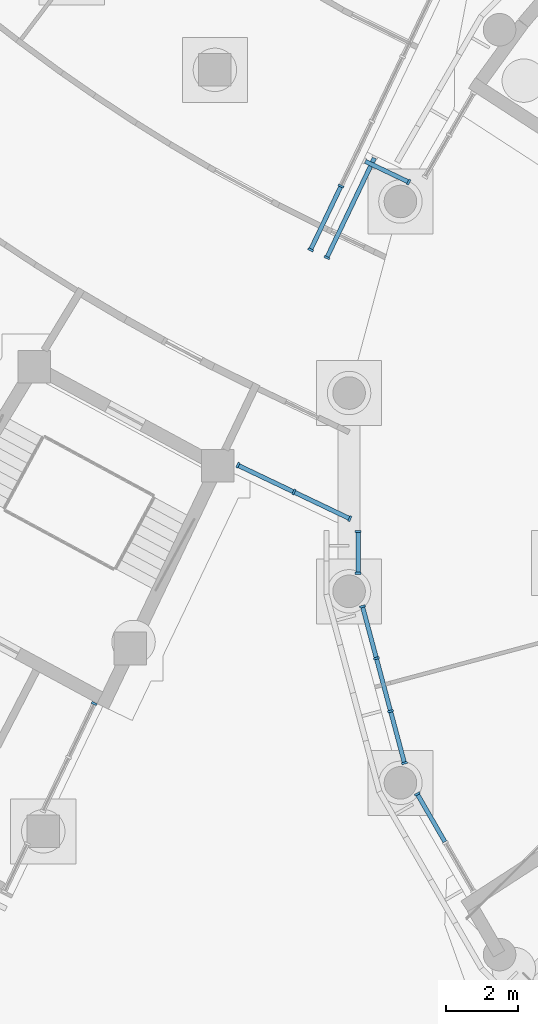
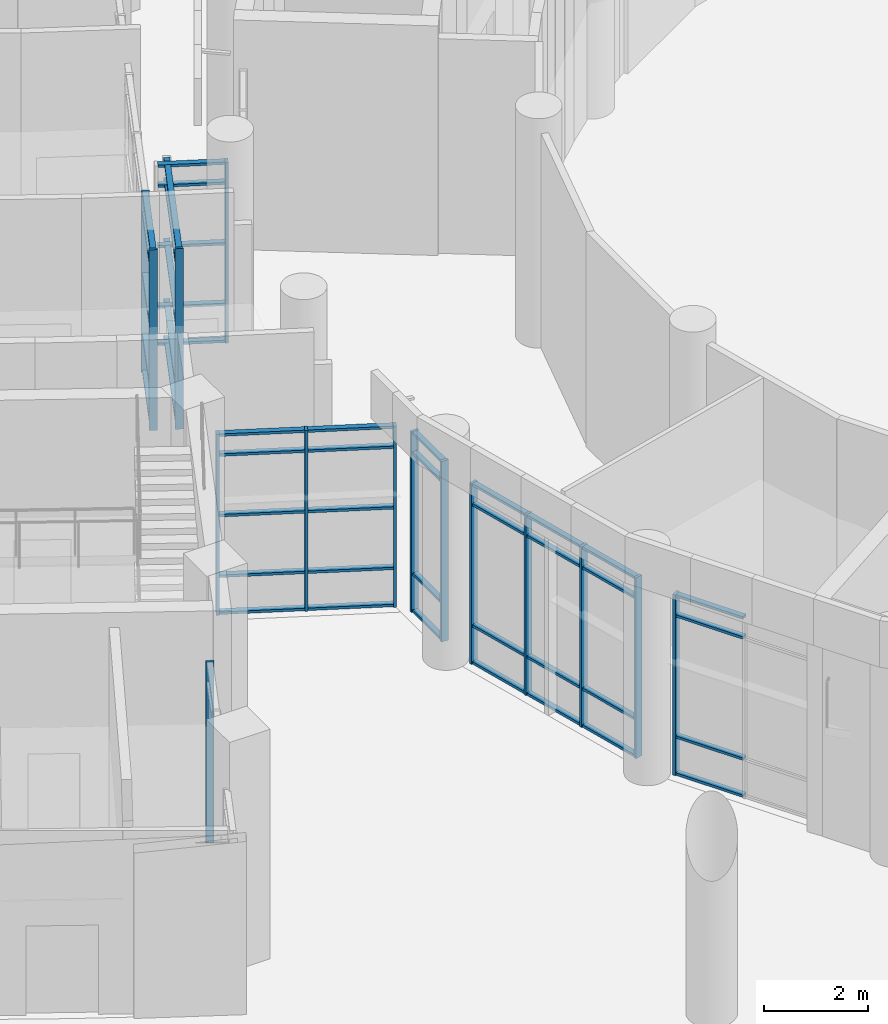
# One storey, part 20 of 146: 60 members, 8 elements without a shape of their own.
"""IFC4 building model written with IfcOpenShell, lengths in metres."""

from ifc_helpers import new_model, si_unit, direction, frame, origin, origin_2d, place, context, subcontext, project, spatial, rectangle, extrude, material, material_profile, profile_set, type_object, element, aggregate, save


model = new_model("IFC4")

# Units and contexts
model_context = context("Model", 3, precision=1e-05, world=origin(), true_north=direction((0.0, 1.0)))
body_context = subcontext(model_context, "Body", "Model", "MODEL_VIEW")
ifc_project = project(units=[si_unit("LENGTHUNIT", "METRE"), si_unit("AREAUNIT", "SQUARE_METRE"), si_unit("VOLUMEUNIT", "CUBIC_METRE"), si_unit("PLANEANGLEUNIT", "RADIAN"), si_unit("MASSUNIT", "GRAM", prefix="KILO")], contexts=[model_context])

# Site, building, storey
site_placement = place(None, origin())
site = spatial("IfcSite", under=ifc_project, at=site_placement, CompositionType="ELEMENT")
building_placement = place(site_placement, origin())
building = spatial("IfcBuilding", under=site, at=building_placement, Name="Bougainvillea Quay General Hospital", CompositionType="ELEMENT")
storey_placement = place(building_placement, origin())
storey = spatial("IfcBuildingStorey", under=building, at=storey_placement, Name="L00", CompositionType="ELEMENT", Elevation=0.0)

# Curtain wall, member
ifc_material_1 = material(Name="Aluminium curtain wall system, powder-coated glazed", Category="aluminium")
curtain_wall_type_1 = type_object("IfcCurtainWallType", Name="Unitised curtain wall CW-1678", PredefinedType="NOTDEFINED", material=ifc_material_1)
curtain_wall_1_placement = place(storey_placement, origin())
curtain_wall_1 = element("IfcCurtainWall", 1, at=curtain_wall_1_placement, inside=storey, type_object=curtain_wall_type_1, Name="CW-AE 01", PredefinedType="NOTDEFINED")
ifc_material_2 = material(Name="Aluminium mullion, powder-coated charcoal", Category="aluminium")
ifc_material_profile_1 = material_profile(ifc_material_2, rectangle(XDim=0.159912109375, YDim=0.06005859375, at=origin_2d()))
ifc_profile_set_1 = profile_set([ifc_material_profile_1], Name="Aluminium mullion, powder-coated charcoal")
member_type_1 = type_object("IfcMemberType", Name="Curtain wall mullion 160x60", PredefinedType="MULLION", material=ifc_profile_set_1)
member_1_placement = place(storey_placement, frame((81.33349609375, 68.157470703125, 0.0), z_axis=(0.0, 0.0, 1.0), x_axis=(-0.902576055431, 0.430530445105, 0.0)))
member_1 = element("IfcMember", 2, at=member_1_placement, type_object=member_type_1, Name="CW-AE mullion 3", PredefinedType="MULLION", context=body_context, shape_type="SweptSolid", body=[
    extrude(rectangle(XDim=0.159912109375, YDim=0.06005859375, at=origin_2d()), origin(), (0.0, 0.0, 1.0), 4.25),
])
aggregate(curtain_wall_1, [member_1])

# Curtain wall, members
curtain_wall_type_2 = type_object("IfcCurtainWallType", Name="Unitised curtain wall CW-1745", PredefinedType="NOTDEFINED", material=ifc_material_1)
curtain_wall_2_placement = place(storey_placement, origin())
curtain_wall_2 = element("IfcCurtainWall", 3, at=curtain_wall_2_placement, inside=storey, type_object=curtain_wall_type_2, Name="CW-AE 00", PredefinedType="NOTDEFINED")
member_2_placement = place(storey_placement, frame((85.305908203125, 74.743408203125, 0.0), z_axis=(0.0, 0.0, 1.0), x_axis=(0.430463026068, 0.902608211345, 0.0)))
member_2 = element("IfcMember", 4, at=member_2_placement, type_object=member_type_1, Name="CW-AE mullion 1", PredefinedType="MULLION", context=body_context, shape_type="SweptSolid", body=[
    extrude(rectangle(XDim=0.159912109375, YDim=0.06005859375, at=origin_2d()), origin(), (0.0, 0.0, 1.0), 4.25),
])
member_3_placement = place(storey_placement, frame((86.853271484375, 74.005615234375, 0.0), z_axis=(0.0, 0.0, 1.0), x_axis=(0.430463026068, 0.902608211345, 0.0)))
member_3 = element("IfcMember", 5, at=member_3_placement, type_object=member_type_1, Name="CW-AE mullion 2", PredefinedType="MULLION", context=body_context, shape_type="SweptSolid", body=[
    extrude(rectangle(XDim=0.159912109375, YDim=0.06005859375, at=origin_2d()), origin(), (0.0, 0.0, 1.0), 4.25),
])
member_4_placement = place(storey_placement, frame((88.400634765625, 73.267578125, 0.0), z_axis=(0.0, 0.0, 1.0), x_axis=(0.430463026068, 0.902608211345, 0.0)))
member_4 = element("IfcMember", 6, at=member_4_placement, type_object=member_type_1, Name="CW-AE mullion 3", PredefinedType="MULLION", context=body_context, shape_type="SweptSolid", body=[
    extrude(rectangle(XDim=0.159912109375, YDim=0.06005859375, at=origin_2d()), origin(), (0.0, 0.0, 1.0), 4.25),
])

# Curtain wall, member
curtain_wall_type_3 = type_object("IfcCurtainWallType", Name="Unitised curtain wall CW-1422", PredefinedType="NOTDEFINED", material=ifc_material_1)
curtain_wall_3_placement = place(storey_placement, origin())
curtain_wall_3 = element("IfcCurtainWall", 7, at=curtain_wall_3_placement, inside=storey, type_object=curtain_wall_type_3, Name="CW-AE 00", PredefinedType="NOTDEFINED")
member_5_placement = place(storey_placement, frame((90.0283203125, 82.5732421875, 0.0), z_axis=(0.0, 0.0, 1.0), x_axis=(-0.430534245195, -0.902574242771, 0.0)))
member_5 = element("IfcMember", 8, at=member_5_placement, type_object=member_type_1, Name="CW-AE mullion 1", PredefinedType="MULLION", context=body_context, shape_type="SweptSolid", body=[
    extrude(rectangle(XDim=0.159912109375, YDim=0.06005859375, at=origin_2d()), origin(), (0.0, 0.0, 1.0), 4.25),
])

curtain_wall_type_4 = type_object("IfcCurtainWallType", Name="Unitised curtain wall CW-3140", PredefinedType="NOTDEFINED", material=ifc_material_1)
curtain_wall_4_placement = place(storey_placement, origin())
curtain_wall_4 = element("IfcCurtainWall", 9, at=curtain_wall_4_placement, inside=storey, type_object=curtain_wall_type_4, Name="CW-AE 00", PredefinedType="NOTDEFINED")
member_6_placement = place(storey_placement, frame((87.7666015625, 80.484375, 0.0), z_axis=(0.0, 0.0, 1.0), x_axis=(0.902495109384, -0.430700101624, 0.0)))
member_6 = element("IfcMember", 10, at=member_6_placement, type_object=member_type_1, Name="CW-AE mullion 2", PredefinedType="MULLION", context=body_context, shape_type="SweptSolid", body=[
    extrude(rectangle(XDim=0.159912109375, YDim=0.06005859375, at=origin_2d()), origin(), (0.0, 0.0, 1.0), 4.25),
])

# Curtain wall, members
curtain_wall_type_5 = type_object("IfcCurtainWallType", Name="Unitised curtain wall CW-1982", PredefinedType="NOTDEFINED", material=ifc_material_1)
curtain_wall_5_placement = place(storey_placement, origin())
curtain_wall_5 = element("IfcCurtainWall", 11, at=curtain_wall_5_placement, inside=storey, type_object=curtain_wall_type_5, Name="CW-AE 00", PredefinedType="NOTDEFINED")
member_7_placement = place(storey_placement, frame((87.315185546875, 80.69970703125, 0.0), z_axis=(0.0, 0.0, 1.0), x_axis=(-0.902560506484, 0.430563040838, 0.0)))
member_7 = element("IfcMember", 12, at=member_7_placement, type_object=member_type_1, Name="CW-AE mullion 1", PredefinedType="MULLION", context=body_context, shape_type="SweptSolid", body=[
    extrude(rectangle(XDim=0.159912109375, YDim=0.06005859375, at=origin_2d()), origin(), (0.0, 0.0, 1.0), 4.25),
])
member_8_placement = place(storey_placement, frame((88.155517578125, 82.4609375, 0.0), z_axis=(0.0, 0.0, 1.0), x_axis=(-0.902560506484, 0.430563040838, 0.0)))
member_8 = element("IfcMember", 13, at=member_8_placement, type_object=member_type_1, Name="CW-AE mullion 2", PredefinedType="MULLION", context=body_context, shape_type="SweptSolid", body=[
    extrude(rectangle(XDim=0.159912109375, YDim=0.06005859375, at=origin_2d()), origin(), (0.0, 0.0, 1.0), 4.25),
])

curtain_wall_type_6 = type_object("IfcCurtainWallType", Name="Unitised curtain wall CW-1211", PredefinedType="NOTDEFINED", material=ifc_material_1)
curtain_wall_6_placement = place(storey_placement, origin())
curtain_wall_6 = element("IfcCurtainWall", 14, at=curtain_wall_6_placement, inside=storey, type_object=curtain_wall_type_6, Name="CW-D 00", PredefinedType="NOTDEFINED")
member_9_placement = place(storey_placement, frame((88.6298828125, 72.909912109375, 0.0), z_axis=(0.0, 0.0, 1.0), x_axis=(1.0, 0.0, 0.0)))
member_9 = element("IfcMember", 15, at=member_9_placement, type_object=member_type_1, Name="CW-D mullion 1", PredefinedType="MULLION", context=body_context, shape_type="SweptSolid", body=[
    extrude(rectangle(XDim=0.159912109375, YDim=0.06005859375, at=origin_2d()), origin(), (0.0, 0.0, 1.0), 4.25),
])
member_10_placement = place(storey_placement, frame((88.6298828125, 71.759033203125, 0.0), z_axis=(0.0, 0.0, 1.0), x_axis=(1.0, 0.0, 0.0)))
member_10 = element("IfcMember", 16, at=member_10_placement, type_object=member_type_1, Name="CW-D mullion 2", PredefinedType="MULLION", context=body_context, shape_type="SweptSolid", body=[
    extrude(rectangle(XDim=0.159912109375, YDim=0.06005859375, at=origin_2d()), origin(), (0.0, 0.0, 1.0), 4.25),
])

curtain_wall_type_7 = type_object("IfcCurtainWallType", Name="Unitised curtain wall CW-1514", PredefinedType="NOTDEFINED", material=ifc_material_1)
curtain_wall_7_placement = place(storey_placement, origin())
curtain_wall_7 = element("IfcCurtainWall", 17, at=curtain_wall_7_placement, inside=storey, type_object=curtain_wall_type_7, Name="CW-D 00", PredefinedType="NOTDEFINED")
member_11_placement = place(storey_placement, frame((88.7509765625, 70.8408203125, 0.0), z_axis=(0.0, 0.0, 1.0), x_axis=(0.965916292974, 0.258854621298, 0.0)))
member_11 = element("IfcMember", 18, at=member_11_placement, type_object=member_type_1, Name="CW-D mullion 1", PredefinedType="MULLION", context=body_context, shape_type="SweptSolid", body=[
    extrude(rectangle(XDim=0.159912109375, YDim=0.06005859375, at=origin_2d()), origin(), (0.0, 0.0, 1.0), 4.25),
])
member_12_placement = place(storey_placement, frame((89.135009765625, 69.407470703125, 0.0), z_axis=(0.0, 0.0, 1.0), x_axis=(0.965916292974, 0.258854621298, 0.0)))
member_12 = element("IfcMember", 19, at=member_12_placement, type_object=member_type_1, Name="CW-D mullion 2", PredefinedType="MULLION", context=body_context, shape_type="SweptSolid", body=[
    extrude(rectangle(XDim=0.159912109375, YDim=0.06005859375, at=origin_2d()), origin(), (0.0, 0.0, 1.0), 4.25),
])
member_13_placement = place(storey_placement, frame((89.52685546875, 67.945068359375, 0.0), z_axis=(0.0, 0.0, 1.0), x_axis=(0.965916292974, 0.258854621298, 0.0)))
member_13 = element("IfcMember", 20, at=member_13_placement, type_object=member_type_1, Name="CW-D mullion 3", PredefinedType="MULLION", context=body_context, shape_type="SweptSolid", body=[
    extrude(rectangle(XDim=0.159912109375, YDim=0.06005859375, at=origin_2d()), origin(), (0.0, 0.0, 1.0), 4.25),
])
member_14_placement = place(storey_placement, frame((89.9111328125, 66.51171875, 0.0), z_axis=(0.0, 0.0, 1.0), x_axis=(0.965916292974, 0.258854621298, 0.0)))
member_14 = element("IfcMember", 21, at=member_14_placement, type_object=member_type_1, Name="CW-D mullion 4", PredefinedType="MULLION", context=body_context, shape_type="SweptSolid", body=[
    extrude(rectangle(XDim=0.159912109375, YDim=0.06005859375, at=origin_2d()), origin(), (0.0, 0.0, 1.0), 4.25),
])

# Curtain wall, member
curtain_wall_type_8 = type_object("IfcCurtainWallType", Name="Unitised curtain wall CW-1585", PredefinedType="NOTDEFINED", material=ifc_material_1)
curtain_wall_8_placement = place(storey_placement, origin())
curtain_wall_8 = element("IfcCurtainWall", 22, at=curtain_wall_8_placement, inside=storey, type_object=curtain_wall_type_8, Name="CW-D 00", PredefinedType="NOTDEFINED")
member_15_placement = place(storey_placement, frame((90.265380859375, 65.656005859375, 0.0), z_axis=(0.0, 0.0, 1.0), x_axis=(0.866045865692, 0.499964557262, 0.0)))
member_15 = element("IfcMember", 23, at=member_15_placement, type_object=member_type_1, Name="CW-D mullion 1", PredefinedType="MULLION", context=body_context, shape_type="SweptSolid", body=[
    extrude(rectangle(XDim=0.159912109375, YDim=0.06005859375, at=origin_2d()), origin(), (0.0, 0.0, 1.0), 4.25),
])

# Member
ifc_material_3 = material(Name="Aluminium transom, powder-coated charcoal", Category="aluminium")
ifc_material_profile_2 = material_profile(ifc_material_3, rectangle(XDim=0.1201171875, YDim=0.06005859375, at=origin_2d()))
ifc_profile_set_2 = profile_set([ifc_material_profile_2], Name="Aluminium transom, powder-coated charcoal")
member_type_2 = type_object("IfcMemberType", Name="Curtain wall transom 120x60", PredefinedType="USERDEFINED", material=ifc_profile_set_2)
member_16_placement = place(storey_placement, frame((85.3330078125, 74.73046875, 0.030029296875), z_axis=(0.902595741471, -0.430489172314, 0.0), x_axis=(0.430489172314, 0.902595741471, 0.0)))
member_16 = element("IfcMember", 24, at=member_16_placement, type_object=member_type_2, Name="CW-AE transom 1.1", ObjectType="TRANSOM", PredefinedType="USERDEFINED", context=body_context, shape_type="SweptSolid", body=[
    extrude(rectangle(XDim=0.1201171875, YDim=0.06005859375, at=origin_2d()), origin(), (0.0, 0.0, 1.0), 1.654296875),
])

member_17_placement = place(storey_placement, frame((85.3330078125, 74.73046875, 0.89990234375), z_axis=(0.902595741471, -0.430489172314, 0.0), x_axis=(0.430489172314, 0.902595741471, 0.0)))
member_17 = element("IfcMember", 25, at=member_17_placement, type_object=member_type_2, Name="CW-AE transom 1.2", ObjectType="TRANSOM", PredefinedType="USERDEFINED", context=body_context, shape_type="SweptSolid", body=[
    extrude(rectangle(XDim=0.1201171875, YDim=0.06005859375, at=origin_2d()), origin(), (0.0, 0.0, 1.0), 1.654296875),
])

member_18_placement = place(storey_placement, frame((85.3330078125, 74.73046875, 2.324951171875), z_axis=(0.902595741471, -0.430489172314, 0.0), x_axis=(0.430489172314, 0.902595741471, 0.0)))
member_18 = element("IfcMember", 26, at=member_18_placement, type_object=member_type_2, Name="CW-AE transom 1.3", ObjectType="TRANSOM", PredefinedType="USERDEFINED", context=body_context, shape_type="SweptSolid", body=[
    extrude(rectangle(XDim=0.1201171875, YDim=0.06005859375, at=origin_2d()), origin(), (0.0, 0.0, 1.0), 1.654296875),
])

member_19_placement = place(storey_placement, frame((85.3330078125, 74.73046875, 3.75), z_axis=(0.902595741471, -0.430489172314, 0.0), x_axis=(0.430489172314, 0.902595741471, 0.0)))
member_19 = element("IfcMember", 27, at=member_19_placement, type_object=member_type_2, Name="CW-AE transom 1.4", ObjectType="TRANSOM", PredefinedType="USERDEFINED", context=body_context, shape_type="SweptSolid", body=[
    extrude(rectangle(XDim=0.1201171875, YDim=0.06005859375, at=origin_2d()), origin(), (0.0, 0.0, 1.0), 1.654296875),
])

member_20_placement = place(storey_placement, frame((85.3330078125, 74.73046875, 4.219970703125), z_axis=(0.902595741471, -0.430489172314, 0.0), x_axis=(0.430489172314, 0.902595741471, 0.0)))
member_20 = element("IfcMember", 28, at=member_20_placement, type_object=member_type_2, Name="CW-AE transom 1.5", ObjectType="TRANSOM", PredefinedType="USERDEFINED", context=body_context, shape_type="SweptSolid", body=[
    extrude(rectangle(XDim=0.1201171875, YDim=0.06005859375, at=origin_2d()), origin(), (0.0, 0.0, 1.0), 1.654296875),
])

member_21_placement = place(storey_placement, frame((86.88037109375, 73.99267578125, 0.030029296875), z_axis=(0.902595741471, -0.430489172314, 0.0), x_axis=(0.430489172314, 0.902595741471, 0.0)))
member_21 = element("IfcMember", 29, at=member_21_placement, type_object=member_type_2, Name="CW-AE transom 2.1", ObjectType="TRANSOM", PredefinedType="USERDEFINED", context=body_context, shape_type="SweptSolid", body=[
    extrude(rectangle(XDim=0.1201171875, YDim=0.06005859375, at=origin_2d()), origin(), (0.0, 0.0, 1.0), 1.654296875),
])

member_22_placement = place(storey_placement, frame((86.88037109375, 73.99267578125, 0.89990234375), z_axis=(0.902595741471, -0.430489172314, 0.0), x_axis=(0.430489172314, 0.902595741471, 0.0)))
member_22 = element("IfcMember", 30, at=member_22_placement, type_object=member_type_2, Name="CW-AE transom 2.2", ObjectType="TRANSOM", PredefinedType="USERDEFINED", context=body_context, shape_type="SweptSolid", body=[
    extrude(rectangle(XDim=0.1201171875, YDim=0.06005859375, at=origin_2d()), origin(), (0.0, 0.0, 1.0), 1.654296875),
])

member_23_placement = place(storey_placement, frame((86.88037109375, 73.99267578125, 2.324951171875), z_axis=(0.902595741471, -0.430489172314, 0.0), x_axis=(0.430489172314, 0.902595741471, 0.0)))
member_23 = element("IfcMember", 31, at=member_23_placement, type_object=member_type_2, Name="CW-AE transom 2.3", ObjectType="TRANSOM", PredefinedType="USERDEFINED", context=body_context, shape_type="SweptSolid", body=[
    extrude(rectangle(XDim=0.1201171875, YDim=0.06005859375, at=origin_2d()), origin(), (0.0, 0.0, 1.0), 1.654296875),
])

member_24_placement = place(storey_placement, frame((86.88037109375, 73.99267578125, 3.75), z_axis=(0.902595741471, -0.430489172314, 0.0), x_axis=(0.430489172314, 0.902595741471, 0.0)))
member_24 = element("IfcMember", 32, at=member_24_placement, type_object=member_type_2, Name="CW-AE transom 2.4", ObjectType="TRANSOM", PredefinedType="USERDEFINED", context=body_context, shape_type="SweptSolid", body=[
    extrude(rectangle(XDim=0.1201171875, YDim=0.06005859375, at=origin_2d()), origin(), (0.0, 0.0, 1.0), 1.654296875),
])

member_25_placement = place(storey_placement, frame((86.88037109375, 73.99267578125, 4.219970703125), z_axis=(0.902595741471, -0.430489172314, 0.0), x_axis=(0.430489172314, 0.902595741471, 0.0)))
member_25 = element("IfcMember", 33, at=member_25_placement, type_object=member_type_2, Name="CW-AE transom 2.5", ObjectType="TRANSOM", PredefinedType="USERDEFINED", context=body_context, shape_type="SweptSolid", body=[
    extrude(rectangle(XDim=0.1201171875, YDim=0.06005859375, at=origin_2d()), origin(), (0.0, 0.0, 1.0), 1.654296875),
])

aggregate(curtain_wall_2, [member_2, member_3, member_4, member_16, member_17, member_18, member_19, member_20, member_21, member_22, member_23, member_24, member_25])

member_26_placement = place(storey_placement, frame((90.001220703125, 82.586181640625, 0.030029296875), z_axis=(-0.902600317452, 0.430479577837, 0.0), x_axis=(-0.430479577837, -0.902600317452, 0.0)))
member_26 = element("IfcMember", 34, at=member_26_placement, type_object=member_type_2, Name="CW-AE transom 1.1", ObjectType="TRANSOM", PredefinedType="USERDEFINED", context=body_context, shape_type="SweptSolid", body=[
    extrude(rectangle(XDim=0.1201171875, YDim=0.06005859375, at=origin_2d()), origin(), (0.0, 0.0, 1.0), 1.301513671875),
])

member_27_placement = place(storey_placement, frame((90.001220703125, 82.586181640625, 0.89990234375), z_axis=(-0.902600317452, 0.430479577837, 0.0), x_axis=(-0.430479577837, -0.902600317452, 0.0)))
member_27 = element("IfcMember", 35, at=member_27_placement, type_object=member_type_2, Name="CW-AE transom 1.2", ObjectType="TRANSOM", PredefinedType="USERDEFINED", context=body_context, shape_type="SweptSolid", body=[
    extrude(rectangle(XDim=0.1201171875, YDim=0.06005859375, at=origin_2d()), origin(), (0.0, 0.0, 1.0), 1.301513671875),
])

member_28_placement = place(storey_placement, frame((90.001220703125, 82.586181640625, 2.324951171875), z_axis=(-0.902600317452, 0.430479577837, 0.0), x_axis=(-0.430479577837, -0.902600317452, 0.0)))
member_28 = element("IfcMember", 36, at=member_28_placement, type_object=member_type_2, Name="CW-AE transom 1.3", ObjectType="TRANSOM", PredefinedType="USERDEFINED", context=body_context, shape_type="SweptSolid", body=[
    extrude(rectangle(XDim=0.1201171875, YDim=0.06005859375, at=origin_2d()), origin(), (0.0, 0.0, 1.0), 1.301513671875),
])

member_29_placement = place(storey_placement, frame((90.001220703125, 82.586181640625, 3.75), z_axis=(-0.902600317452, 0.430479577837, 0.0), x_axis=(-0.430479577837, -0.902600317452, 0.0)))
member_29 = element("IfcMember", 37, at=member_29_placement, type_object=member_type_2, Name="CW-AE transom 1.4", ObjectType="TRANSOM", PredefinedType="USERDEFINED", context=body_context, shape_type="SweptSolid", body=[
    extrude(rectangle(XDim=0.1201171875, YDim=0.06005859375, at=origin_2d()), origin(), (0.0, 0.0, 1.0), 1.301513671875),
])

member_30_placement = place(storey_placement, frame((90.001220703125, 82.586181640625, 4.219970703125), z_axis=(-0.902600317452, 0.430479577837, 0.0), x_axis=(-0.430479577837, -0.902600317452, 0.0)))
member_30 = element("IfcMember", 38, at=member_30_placement, type_object=member_type_2, Name="CW-AE transom 1.5", ObjectType="TRANSOM", PredefinedType="USERDEFINED", context=body_context, shape_type="SweptSolid", body=[
    extrude(rectangle(XDim=0.1201171875, YDim=0.06005859375, at=origin_2d()), origin(), (0.0, 0.0, 1.0), 1.301513671875),
])

aggregate(curtain_wall_3, [member_5, member_26, member_27, member_28, member_29, member_30])

member_31_placement = place(storey_placement, frame((89.079833984375, 83.236083984375, 0.030029296875), z_axis=(-0.430705635106, -0.902492468604, 0.0), x_axis=(0.902492468604, -0.430705635106, 0.0)))
member_31 = element("IfcMember", 39, at=member_31_placement, type_object=member_type_2, Name="CW-AE transom 1.1", ObjectType="TRANSOM", PredefinedType="USERDEFINED", context=body_context, shape_type="SweptSolid", body=[
    extrude(rectangle(XDim=0.1201171875, YDim=0.06005859375, at=origin_2d()), origin(), (0.0, 0.0, 1.0), 3.01904296875),
])

member_32_placement = place(storey_placement, frame((89.079833984375, 83.236083984375, 0.89990234375), z_axis=(-0.430705635106, -0.902492468604, 0.0), x_axis=(0.902492468604, -0.430705635106, 0.0)))
member_32 = element("IfcMember", 40, at=member_32_placement, type_object=member_type_2, Name="CW-AE transom 1.2", ObjectType="TRANSOM", PredefinedType="USERDEFINED", context=body_context, shape_type="SweptSolid", body=[
    extrude(rectangle(XDim=0.1201171875, YDim=0.06005859375, at=origin_2d()), origin(), (0.0, 0.0, 1.0), 3.01904296875),
])

member_33_placement = place(storey_placement, frame((89.079833984375, 83.236083984375, 2.324951171875), z_axis=(-0.430705635106, -0.902492468604, 0.0), x_axis=(0.902492468604, -0.430705635106, 0.0)))
member_33 = element("IfcMember", 41, at=member_33_placement, type_object=member_type_2, Name="CW-AE transom 1.3", ObjectType="TRANSOM", PredefinedType="USERDEFINED", context=body_context, shape_type="SweptSolid", body=[
    extrude(rectangle(XDim=0.1201171875, YDim=0.06005859375, at=origin_2d()), origin(), (0.0, 0.0, 1.0), 3.01904296875),
])

member_34_placement = place(storey_placement, frame((89.079833984375, 83.236083984375, 3.75), z_axis=(-0.430705635106, -0.902492468604, 0.0), x_axis=(0.902492468604, -0.430705635106, 0.0)))
member_34 = element("IfcMember", 42, at=member_34_placement, type_object=member_type_2, Name="CW-AE transom 1.4", ObjectType="TRANSOM", PredefinedType="USERDEFINED", context=body_context, shape_type="SweptSolid", body=[
    extrude(rectangle(XDim=0.1201171875, YDim=0.06005859375, at=origin_2d()), origin(), (0.0, 0.0, 1.0), 3.01904296875),
])

member_35_placement = place(storey_placement, frame((89.079833984375, 83.236083984375, 4.219970703125), z_axis=(-0.430705635106, -0.902492468604, 0.0), x_axis=(0.902492468604, -0.430705635106, 0.0)))
member_35 = element("IfcMember", 43, at=member_35_placement, type_object=member_type_2, Name="CW-AE transom 1.5", ObjectType="TRANSOM", PredefinedType="USERDEFINED", context=body_context, shape_type="SweptSolid", body=[
    extrude(rectangle(XDim=0.1201171875, YDim=0.06005859375, at=origin_2d()), origin(), (0.0, 0.0, 1.0), 3.01904296875),
])

aggregate(curtain_wall_4, [member_6, member_31, member_32, member_33, member_34, member_35])

member_36_placement = place(storey_placement, frame((87.328125, 80.726806640625, 0.030029296875), z_axis=(0.43061489216, 0.90253576918, 0.0), x_axis=(-0.90253576918, 0.43061489216, 0.0)))
member_36 = element("IfcMember", 44, at=member_36_placement, type_object=member_type_2, Name="CW-AE transom 1.1", ObjectType="TRANSOM", PredefinedType="USERDEFINED", context=body_context, shape_type="SweptSolid", body=[
    extrude(rectangle(XDim=0.1201171875, YDim=0.06005859375, at=origin_2d()), origin(), (0.0, 0.0, 1.0), 1.891357421875),
])

member_37_placement = place(storey_placement, frame((87.328125, 80.726806640625, 0.89990234375), z_axis=(0.43061489216, 0.90253576918, 0.0), x_axis=(-0.90253576918, 0.43061489216, 0.0)))
member_37 = element("IfcMember", 45, at=member_37_placement, type_object=member_type_2, Name="CW-AE transom 1.2", ObjectType="TRANSOM", PredefinedType="USERDEFINED", context=body_context, shape_type="SweptSolid", body=[
    extrude(rectangle(XDim=0.1201171875, YDim=0.06005859375, at=origin_2d()), origin(), (0.0, 0.0, 1.0), 1.891357421875),
])

member_38_placement = place(storey_placement, frame((87.328125, 80.726806640625, 2.324951171875), z_axis=(0.43061489216, 0.90253576918, 0.0), x_axis=(-0.90253576918, 0.43061489216, 0.0)))
member_38 = element("IfcMember", 46, at=member_38_placement, type_object=member_type_2, Name="CW-AE transom 1.3", ObjectType="TRANSOM", PredefinedType="USERDEFINED", context=body_context, shape_type="SweptSolid", body=[
    extrude(rectangle(XDim=0.1201171875, YDim=0.06005859375, at=origin_2d()), origin(), (0.0, 0.0, 1.0), 1.891357421875),
])

member_39_placement = place(storey_placement, frame((87.328125, 80.726806640625, 3.75), z_axis=(0.43061489216, 0.90253576918, 0.0), x_axis=(-0.90253576918, 0.43061489216, 0.0)))
member_39 = element("IfcMember", 47, at=member_39_placement, type_object=member_type_2, Name="CW-AE transom 1.4", ObjectType="TRANSOM", PredefinedType="USERDEFINED", context=body_context, shape_type="SweptSolid", body=[
    extrude(rectangle(XDim=0.1201171875, YDim=0.06005859375, at=origin_2d()), origin(), (0.0, 0.0, 1.0), 1.891357421875),
])

member_40_placement = place(storey_placement, frame((87.328125, 80.726806640625, 4.219970703125), z_axis=(0.43061489216, 0.90253576918, 0.0), x_axis=(-0.90253576918, 0.43061489216, 0.0)))
member_40 = element("IfcMember", 48, at=member_40_placement, type_object=member_type_2, Name="CW-AE transom 1.5", ObjectType="TRANSOM", PredefinedType="USERDEFINED", context=body_context, shape_type="SweptSolid", body=[
    extrude(rectangle(XDim=0.1201171875, YDim=0.06005859375, at=origin_2d()), origin(), (0.0, 0.0, 1.0), 1.891357421875),
])

aggregate(curtain_wall_5, [member_7, member_8, member_36, member_37, member_38, member_39, member_40])

member_41_placement = place(storey_placement, frame((88.6298828125, 72.8798828125, 0.030029296875), z_axis=(0.0, -1.0, 0.0), x_axis=(1.0, 0.0, 0.0)))
member_41 = element("IfcMember", 49, at=member_41_placement, type_object=member_type_2, Name="CW-D transom 1.1", ObjectType="TRANSOM", PredefinedType="USERDEFINED", context=body_context, shape_type="SweptSolid", body=[
    extrude(rectangle(XDim=0.1201171875, YDim=0.06005859375, at=origin_2d()), origin(), (0.0, 0.0, 1.0), 1.0908203125),
])

member_42_placement = place(storey_placement, frame((88.6298828125, 72.8798828125, 0.89990234375), z_axis=(0.0, -1.0, 0.0), x_axis=(1.0, 0.0, 0.0)))
member_42 = element("IfcMember", 50, at=member_42_placement, type_object=member_type_2, Name="CW-D transom 1.2", ObjectType="TRANSOM", PredefinedType="USERDEFINED", context=body_context, shape_type="SweptSolid", body=[
    extrude(rectangle(XDim=0.1201171875, YDim=0.06005859375, at=origin_2d()), origin(), (0.0, 0.0, 1.0), 1.0908203125),
])

member_43_placement = place(storey_placement, frame((88.6298828125, 72.8798828125, 3.75), z_axis=(0.0, -1.0, 0.0), x_axis=(1.0, 0.0, 0.0)))
member_43 = element("IfcMember", 51, at=member_43_placement, type_object=member_type_2, Name="CW-D transom 1.3", ObjectType="TRANSOM", PredefinedType="USERDEFINED", context=body_context, shape_type="SweptSolid", body=[
    extrude(rectangle(XDim=0.1201171875, YDim=0.06005859375, at=origin_2d()), origin(), (0.0, 0.0, 1.0), 1.0908203125),
])

member_44_placement = place(storey_placement, frame((88.6298828125, 72.8798828125, 4.219970703125), z_axis=(0.0, -1.0, 0.0), x_axis=(1.0, 0.0, 0.0)))
member_44 = element("IfcMember", 52, at=member_44_placement, type_object=member_type_2, Name="CW-D transom 1.4", ObjectType="TRANSOM", PredefinedType="USERDEFINED", context=body_context, shape_type="SweptSolid", body=[
    extrude(rectangle(XDim=0.1201171875, YDim=0.06005859375, at=origin_2d()), origin(), (0.0, 0.0, 1.0), 1.0908203125),
])

aggregate(curtain_wall_6, [member_9, member_10, member_41, member_42, member_43, member_44])

member_45_placement = place(storey_placement, frame((88.7587890625, 70.811767578125, 0.030029296875), z_axis=(0.258718945225, -0.965952642411, 0.0), x_axis=(0.965952642411, 0.258718945225, 0.0)))
member_45 = element("IfcMember", 53, at=member_45_placement, type_object=member_type_2, Name="CW-D transom 1.1", ObjectType="TRANSOM", PredefinedType="USERDEFINED", context=body_context, shape_type="SweptSolid", body=[
    extrude(rectangle(XDim=0.1201171875, YDim=0.06005859375, at=origin_2d()), origin(), (0.0, 0.0, 1.0), 1.424072265625),
])

member_46_placement = place(storey_placement, frame((88.7587890625, 70.811767578125, 0.89990234375), z_axis=(0.258718945225, -0.965952642411, 0.0), x_axis=(0.965952642411, 0.258718945225, 0.0)))
member_46 = element("IfcMember", 54, at=member_46_placement, type_object=member_type_2, Name="CW-D transom 1.2", ObjectType="TRANSOM", PredefinedType="USERDEFINED", context=body_context, shape_type="SweptSolid", body=[
    extrude(rectangle(XDim=0.1201171875, YDim=0.06005859375, at=origin_2d()), origin(), (0.0, 0.0, 1.0), 1.424072265625),
])

member_47_placement = place(storey_placement, frame((88.7587890625, 70.811767578125, 3.75), z_axis=(0.258718945225, -0.965952642411, 0.0), x_axis=(0.965952642411, 0.258718945225, 0.0)))
member_47 = element("IfcMember", 55, at=member_47_placement, type_object=member_type_2, Name="CW-D transom 1.3", ObjectType="TRANSOM", PredefinedType="USERDEFINED", context=body_context, shape_type="SweptSolid", body=[
    extrude(rectangle(XDim=0.1201171875, YDim=0.06005859375, at=origin_2d()), origin(), (0.0, 0.0, 1.0), 1.424072265625),
])

member_48_placement = place(storey_placement, frame((88.7587890625, 70.811767578125, 4.219970703125), z_axis=(0.258718945225, -0.965952642411, 0.0), x_axis=(0.965952642411, 0.258718945225, 0.0)))
member_48 = element("IfcMember", 56, at=member_48_placement, type_object=member_type_2, Name="CW-D transom 1.4", ObjectType="TRANSOM", PredefinedType="USERDEFINED", context=body_context, shape_type="SweptSolid", body=[
    extrude(rectangle(XDim=0.1201171875, YDim=0.06005859375, at=origin_2d()), origin(), (0.0, 0.0, 1.0), 1.424072265625),
])

member_49_placement = place(storey_placement, frame((89.142822265625, 69.37841796875, 0.030029296875), z_axis=(0.258780853081, -0.965936059001, 0.0), x_axis=(0.965936059001, 0.258780853081, 0.0)))
member_49 = element("IfcMember", 57, at=member_49_placement, type_object=member_type_2, Name="CW-D transom 2.1", ObjectType="TRANSOM", PredefinedType="USERDEFINED", context=body_context, shape_type="SweptSolid", body=[
    extrude(rectangle(XDim=0.1201171875, YDim=0.06005859375, at=origin_2d()), origin(), (0.0, 0.0, 1.0), 1.453857421875),
])

member_50_placement = place(storey_placement, frame((89.142822265625, 69.37841796875, 0.89990234375), z_axis=(0.258780853081, -0.965936059001, 0.0), x_axis=(0.965936059001, 0.258780853081, 0.0)))
member_50 = element("IfcMember", 58, at=member_50_placement, type_object=member_type_2, Name="CW-D transom 2.2", ObjectType="TRANSOM", PredefinedType="USERDEFINED", context=body_context, shape_type="SweptSolid", body=[
    extrude(rectangle(XDim=0.1201171875, YDim=0.06005859375, at=origin_2d()), origin(), (0.0, 0.0, 1.0), 1.453857421875),
])

member_51_placement = place(storey_placement, frame((89.142822265625, 69.37841796875, 3.75), z_axis=(0.258780853081, -0.965936059001, 0.0), x_axis=(0.965936059001, 0.258780853081, 0.0)))
member_51 = element("IfcMember", 59, at=member_51_placement, type_object=member_type_2, Name="CW-D transom 2.3", ObjectType="TRANSOM", PredefinedType="USERDEFINED", context=body_context, shape_type="SweptSolid", body=[
    extrude(rectangle(XDim=0.1201171875, YDim=0.06005859375, at=origin_2d()), origin(), (0.0, 0.0, 1.0), 1.453857421875),
])

member_52_placement = place(storey_placement, frame((89.142822265625, 69.37841796875, 4.219970703125), z_axis=(0.258780853081, -0.965936059001, 0.0), x_axis=(0.965936059001, 0.258780853081, 0.0)))
member_52 = element("IfcMember", 60, at=member_52_placement, type_object=member_type_2, Name="CW-D transom 2.4", ObjectType="TRANSOM", PredefinedType="USERDEFINED", context=body_context, shape_type="SweptSolid", body=[
    extrude(rectangle(XDim=0.1201171875, YDim=0.06005859375, at=origin_2d()), origin(), (0.0, 0.0, 1.0), 1.453857421875),
])

member_53_placement = place(storey_placement, frame((89.53466796875, 67.916015625, 0.030029296875), z_axis=(0.258878909043, -0.965909783806, 0.0), x_axis=(0.965909783806, 0.258878909043, 0.0)))
member_53 = element("IfcMember", 61, at=member_53_placement, type_object=member_type_2, Name="CW-D transom 3.1", ObjectType="TRANSOM", PredefinedType="USERDEFINED", context=body_context, shape_type="SweptSolid", body=[
    extrude(rectangle(XDim=0.1201171875, YDim=0.06005859375, at=origin_2d()), origin(), (0.0, 0.0, 1.0), 1.424072265625),
])

member_54_placement = place(storey_placement, frame((89.53466796875, 67.916015625, 0.89990234375), z_axis=(0.258878909043, -0.965909783806, 0.0), x_axis=(0.965909783806, 0.258878909043, 0.0)))
member_54 = element("IfcMember", 62, at=member_54_placement, type_object=member_type_2, Name="CW-D transom 3.2", ObjectType="TRANSOM", PredefinedType="USERDEFINED", context=body_context, shape_type="SweptSolid", body=[
    extrude(rectangle(XDim=0.1201171875, YDim=0.06005859375, at=origin_2d()), origin(), (0.0, 0.0, 1.0), 1.424072265625),
])

member_55_placement = place(storey_placement, frame((89.53466796875, 67.916015625, 3.75), z_axis=(0.258878909043, -0.965909783806, 0.0), x_axis=(0.965909783806, 0.258878909043, 0.0)))
member_55 = element("IfcMember", 63, at=member_55_placement, type_object=member_type_2, Name="CW-D transom 3.3", ObjectType="TRANSOM", PredefinedType="USERDEFINED", context=body_context, shape_type="SweptSolid", body=[
    extrude(rectangle(XDim=0.1201171875, YDim=0.06005859375, at=origin_2d()), origin(), (0.0, 0.0, 1.0), 1.424072265625),
])

member_56_placement = place(storey_placement, frame((89.53466796875, 67.916015625, 4.219970703125), z_axis=(0.258878909043, -0.965909783806, 0.0), x_axis=(0.965909783806, 0.258878909043, 0.0)))
member_56 = element("IfcMember", 64, at=member_56_placement, type_object=member_type_2, Name="CW-D transom 3.4", ObjectType="TRANSOM", PredefinedType="USERDEFINED", context=body_context, shape_type="SweptSolid", body=[
    extrude(rectangle(XDim=0.1201171875, YDim=0.06005859375, at=origin_2d()), origin(), (0.0, 0.0, 1.0), 1.424072265625),
])

aggregate(curtain_wall_7, [member_11, member_12, member_13, member_14, member_45, member_46, member_47, member_48, member_49, member_50, member_51, member_52, member_53, member_54, member_55, member_56])

member_57_placement = place(storey_placement, frame((90.280517578125, 65.6298828125, 0.030029296875), z_axis=(0.499986386223, -0.866033263559, 0.0), x_axis=(0.866033263559, 0.499986386223, 0.0)))
member_57 = element("IfcMember", 65, at=member_57_placement, type_object=member_type_2, Name="CW-D transom 1.1", ObjectType="TRANSOM", PredefinedType="USERDEFINED", context=body_context, shape_type="SweptSolid", body=[
    extrude(rectangle(XDim=0.1201171875, YDim=0.06005859375, at=origin_2d()), origin(), (0.0, 0.0, 1.0), 1.49462890625),
])

member_58_placement = place(storey_placement, frame((90.280517578125, 65.6298828125, 0.89990234375), z_axis=(0.499986386223, -0.866033263559, 0.0), x_axis=(0.866033263559, 0.499986386223, 0.0)))
member_58 = element("IfcMember", 66, at=member_58_placement, type_object=member_type_2, Name="CW-D transom 1.2", ObjectType="TRANSOM", PredefinedType="USERDEFINED", context=body_context, shape_type="SweptSolid", body=[
    extrude(rectangle(XDim=0.1201171875, YDim=0.06005859375, at=origin_2d()), origin(), (0.0, 0.0, 1.0), 1.49462890625),
])

member_59_placement = place(storey_placement, frame((90.280517578125, 65.6298828125, 3.75), z_axis=(0.499986386223, -0.866033263559, 0.0), x_axis=(0.866033263559, 0.499986386223, 0.0)))
member_59 = element("IfcMember", 67, at=member_59_placement, type_object=member_type_2, Name="CW-D transom 1.3", ObjectType="TRANSOM", PredefinedType="USERDEFINED", context=body_context, shape_type="SweptSolid", body=[
    extrude(rectangle(XDim=0.1201171875, YDim=0.06005859375, at=origin_2d()), origin(), (0.0, 0.0, 1.0), 1.49462890625),
])

member_60_placement = place(storey_placement, frame((90.280517578125, 65.6298828125, 4.219970703125), z_axis=(0.499986386223, -0.866033263559, 0.0), x_axis=(0.866033263559, 0.499986386223, 0.0)))
member_60 = element("IfcMember", 68, at=member_60_placement, type_object=member_type_2, Name="CW-D transom 1.4", ObjectType="TRANSOM", PredefinedType="USERDEFINED", context=body_context, shape_type="SweptSolid", body=[
    extrude(rectangle(XDim=0.1201171875, YDim=0.06005859375, at=origin_2d()), origin(), (0.0, 0.0, 1.0), 1.49462890625),
])

aggregate(curtain_wall_8, [member_15, member_57, member_58, member_59, member_60])

save(model, "model.ifc")
